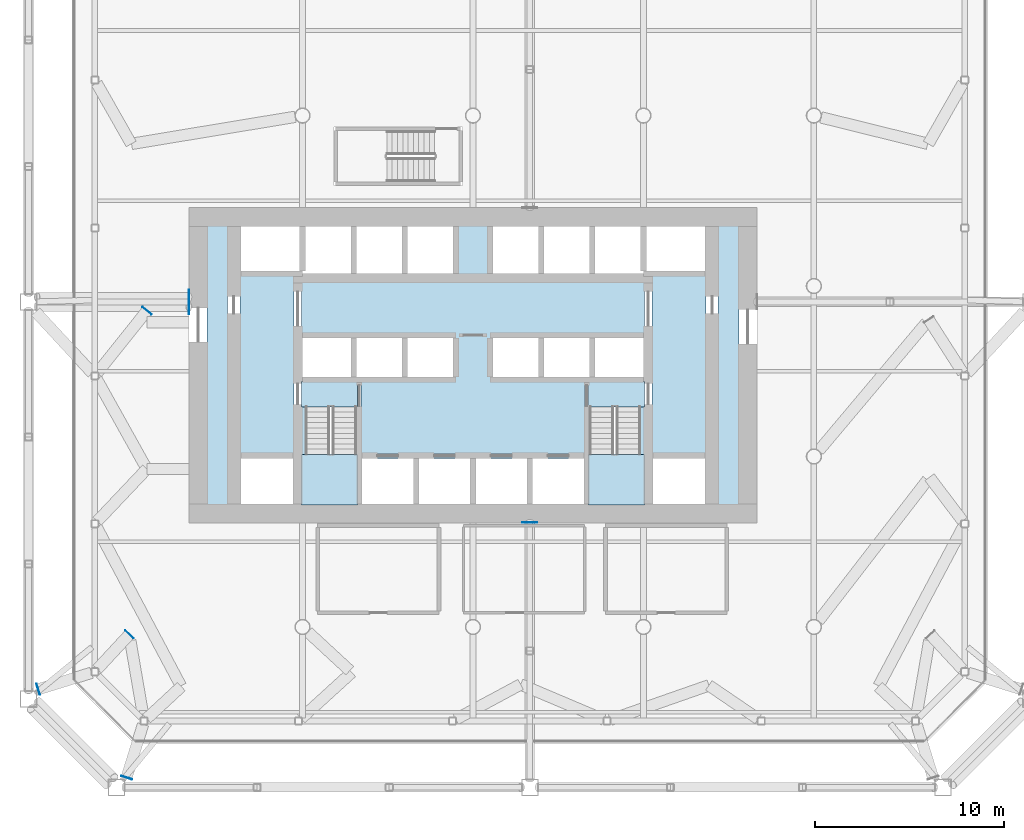
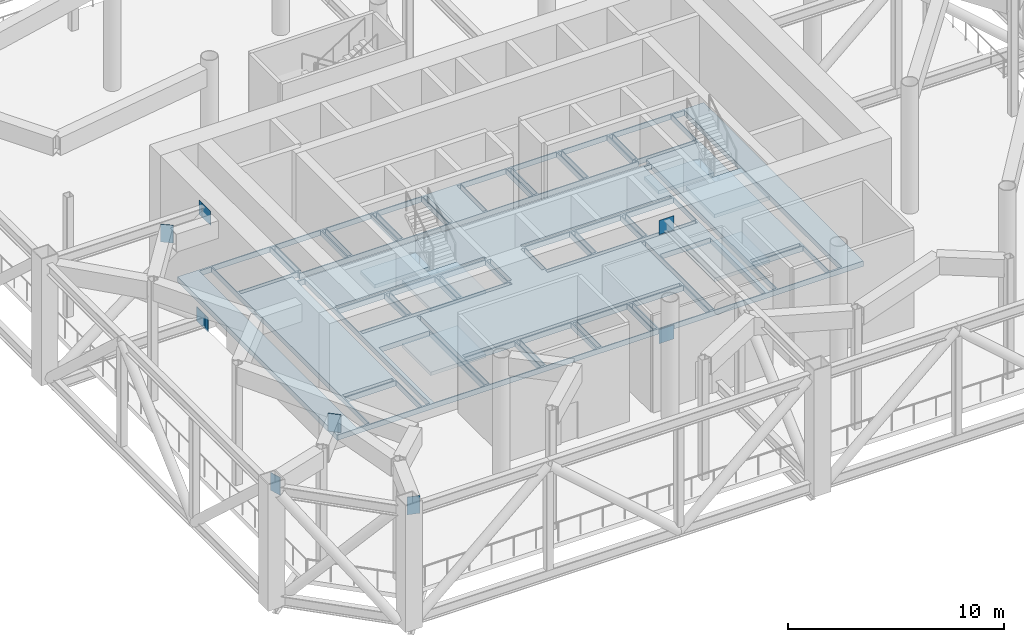
# One storey, part 7 of 20: 10 plates, 7 slabs, 2 elements without a shape of their own.
"""IFC4 building model written with IfcOpenShell, lengths in metres."""

from ifc_helpers import new_model, si_unit, direction, frame, origin, origin_2d, place, context, subcontext, project, spatial, polyline, rectangle, outline, extrude, material, layer, layer_set, material_profile, profile_set, type_object, element, aggregate, save


model = new_model("IFC4")

# Units and contexts
model_context = context("Model", 3, precision=1e-05, world=origin(), true_north=direction((0.0, 1.0)))
body_context = subcontext(model_context, "Body", "Model", "MODEL_VIEW")
ifc_project = project(units=[si_unit("LENGTHUNIT", "METRE"), si_unit("AREAUNIT", "SQUARE_METRE"), si_unit("VOLUMEUNIT", "CUBIC_METRE"), si_unit("PLANEANGLEUNIT", "RADIAN"), si_unit("MASSUNIT", "GRAM", prefix="KILO")], contexts=[model_context])

# Site, building, storey
site_placement = place(None, origin())
site = spatial("IfcSite", under=ifc_project, at=site_placement, CompositionType="ELEMENT")
building_placement = place(site_placement, origin())
building = spatial("IfcBuilding", under=site, at=building_placement, Name="Tskaro Facet Tower", CompositionType="ELEMENT")
storey_placement = place(building_placement, frame((0.0, 0.0, 114.300048828125)))
storey = spatial("IfcBuildingStorey", under=building, at=storey_placement, Name="L27", CompositionType="ELEMENT", Elevation=114.300048828125)

# Plates
ifc_material_1 = material(Name="Steel S355J2", Category="steel")
ifc_material_profile_1 = material_profile(ifc_material_1, rectangle(XDim=0.60009765625, YDim=1.0, at=origin_2d()), Name="PL 600x1000x30 end plate")
ifc_profile_set_1 = profile_set([ifc_material_profile_1], Name="Steel S355J2")
plate_type_1 = type_object("IfcPlateType", Name="PL 600x1000x30 end plate", PredefinedType="SHEET", material=ifc_profile_set_1)
for number, where, z_axis, x_axis, name in (
    (1, (-18.287841796875, -25.941650390625, 6.280029296875), (-0.299195722174, -0.95419176261, 0.0), (0.95419176261, -0.299195722174, 0.0), "End plate CP8-10"),
    (2, (-22.941650390625, -21.287841796875, 6.280029296875), (-0.95419176261, -0.299195722174, 0.0), (0.299195722174, -0.95419176261, 0.0), "End plate CP8-13"),
):
    element("IfcPlate", number, at=place(storey_placement, frame(where, z_axis=z_axis, x_axis=x_axis)), inside=storey, type_object=plate_type_1, Name=name, PredefinedType="SHEET", context=body_context, shape_type="SweptSolid", body=[
        extrude(rectangle(XDim=0.60009765625, YDim=1.0, at=origin_2d()), origin(), (0.0, 0.0, 1.0), 0.0302734375),
    ])
for number, where, z_axis, x_axis, name in (
    (3, (-18.147705078125, -18.402587890625, 6.280029296875), (0.673884243496, 0.738836941664, 0.0), (-0.738836941664, 0.673884243496, 0.0), "End plate CP8-19"),
    (4, (-17.22412109375, -1.31494140625, 6.280029296875), (0.625685494002, 0.780075421094, 0.0), (-0.780075421094, 0.625685494002, 0.0), "End plate CP8-21"),
):
    element("IfcPlate", number, at=place(storey_placement, frame(where, z_axis=z_axis, x_axis=x_axis)), inside=storey, type_object=plate_type_1, Name=name, PredefinedType="SHEET", context=body_context, shape_type="SweptSolid", body=[
        extrude(rectangle(XDim=0.60009765625, YDim=1.0, at=origin_2d()), origin(), (0.0, 0.0, 1.0), 0.030029296875),
    ])
ifc_material_profile_2 = material_profile(ifc_material_1, rectangle(XDim=0.800048828125, YDim=0.800048828125, at=origin_2d()), Name="PL 800x800x30 cast-in plate")
ifc_profile_set_2 = profile_set([ifc_material_profile_2], Name="Steel S355J2")
plate_type_2 = type_object("IfcPlateType", Name="PL 800x800x30 cast-in plate", PredefinedType="SHEET", material=ifc_profile_set_2)
for number, where, z_axis, x_axis, name in (
    (5, (3.0, -12.469970703125, 6.469970703125), (0.0, -1.0, 0.0), (1.0, 0.0, 0.0), "Cast-in plate AP1-05"),
    (6, (3.0, -12.469970703125, 0.31005859375), (0.0, -1.0, 0.0), (1.0, 0.0, 0.0), "Cast-in plate AP1-06"),
    (7, (-14.969970703125, -0.8369140625, 6.469970703125), (-1.0, 0.0, 0.0), (0.0, -1.0, 0.0), "Cast-in plate AP1-11"),
    (8, (-14.969970703125, -0.8369140625, 0.31005859375), (-1.0, 0.0, 0.0), (0.0, -1.0, 0.0), "Cast-in plate AP1-12"),
    (9, (-14.969970703125, -1.091064453125, 6.469970703125), (-1.0, 0.0, 0.0), (0.0, -1.0, 0.0), "Cast-in plate AP1-13"),
    (10, (-14.969970703125, -0.5830078125, 0.31005859375), (-1.0, 0.0, 0.0), (0.0, -1.0, 0.0), "Cast-in plate AP1-14"),
):
    element("IfcPlate", number, at=place(storey_placement, frame(where, z_axis=z_axis, x_axis=x_axis)), inside=storey, type_object=plate_type_2, Name=name, PredefinedType="SHEET", context=body_context, shape_type="SweptSolid", body=[
        extrude(rectangle(XDim=0.800048828125, YDim=0.800048828125, at=origin_2d()), origin(), (0.0, 0.0, 1.0), 0.030029296875),
    ])

# Stair, slabs
ifc_material_2 = material(Name="Concrete C40/50", Category="concrete")
stair_type = type_object("IfcStairType", Name="ST-TWR", PredefinedType="HALF_TURN_STAIR", material=ifc_material_2)
stair_1_placement = place(storey_placement, origin())
stair_1 = element("IfcStair", 11, at=stair_1_placement, inside=storey, type_object=stair_type, Name="L27 Exit stair 1", PredefinedType="HALF_TURN_STAIR")
ifc_layer_1 = layer(ifc_material_2, 0.199951171875, Name="Concrete C40/50")
ifc_layer_set_1 = layer_set([ifc_layer_1], Name="Concrete C40/50")
slab_type_1 = type_object("IfcSlabType", Name="SL-LANDING", PredefinedType="LANDING", material=ifc_layer_set_1)
slab_1_placement = place(storey_placement, frame((0.0, 0.0, 1.599853515625)))
slab_1 = element("IfcSlab", 12, at=slab_1_placement, type_object=slab_type_1, Name="ST-1 landing 1", PredefinedType="LANDING", context=body_context, shape_type="SweptSolid", body=[
    extrude(outline(polyline([(-9.050048828125, -11.550048828125), (-6.10009765625, -11.550048828125), (-6.10009765625, -8.89501953125), (-9.050048828125, -8.89501953125), (-9.050048828125, -11.550048828125)])), origin(), (0.0, 0.0, 1.0), 0.2001953125),
])
slab_2_placement = place(storey_placement, frame((0.0, 0.0, 3.39990234375)))
slab_2 = element("IfcSlab", 13, at=slab_2_placement, type_object=slab_type_1, Name="ST-1 landing 2", PredefinedType="LANDING", context=body_context, shape_type="SweptSolid", body=[
    extrude(outline(polyline([(-9.050048828125, -6.375), (-6.10009765625, -6.375), (-6.10009765625, -5.050048828125), (-9.050048828125, -5.050048828125), (-9.050048828125, -6.375)])), origin(), (0.0, 0.0, 1.0), 0.199951171875),
])
slab_3_placement = place(storey_placement, frame((0.0, 0.0, 5.199951171875)))
slab_3 = element("IfcSlab", 14, at=slab_3_placement, type_object=slab_type_1, Name="ST-1 landing 3", PredefinedType="LANDING", context=body_context, shape_type="SweptSolid", body=[
    extrude(outline(polyline([(-9.050048828125, -11.550048828125), (-6.10009765625, -11.550048828125), (-6.10009765625, -8.89501953125), (-9.050048828125, -8.89501953125), (-9.050048828125, -11.550048828125)])), origin(), (0.0, 0.0, 1.0), 0.199951171875),
])
aggregate(stair_1, [slab_1, slab_2, slab_3])

stair_2_placement = place(storey_placement, origin())
stair_2 = element("IfcStair", 15, at=stair_2_placement, inside=storey, type_object=stair_type, Name="L27 Exit stair 2", PredefinedType="HALF_TURN_STAIR")
slab_4_placement = place(storey_placement, frame((0.0, 0.0, 1.599853515625)))
slab_4 = element("IfcSlab", 16, at=slab_4_placement, type_object=slab_type_1, Name="ST-2 landing 1", PredefinedType="LANDING", context=body_context, shape_type="SweptSolid", body=[
    extrude(outline(polyline([(6.10009765625, -11.550048828125), (9.050048828125, -11.550048828125), (9.050048828125, -8.89501953125), (6.10009765625, -8.89501953125), (6.10009765625, -11.550048828125)])), origin(), (0.0, 0.0, 1.0), 0.2001953125),
])
slab_5_placement = place(storey_placement, frame((0.0, 0.0, 3.39990234375)))
slab_5 = element("IfcSlab", 17, at=slab_5_placement, type_object=slab_type_1, Name="ST-2 landing 2", PredefinedType="LANDING", context=body_context, shape_type="SweptSolid", body=[
    extrude(outline(polyline([(6.10009765625, -6.375), (9.050048828125, -6.375), (9.050048828125, -5.050048828125), (6.10009765625, -5.050048828125), (6.10009765625, -6.375)])), origin(), (0.0, 0.0, 1.0), 0.199951171875),
])
slab_6_placement = place(storey_placement, frame((0.0, 0.0, 5.199951171875)))
slab_6 = element("IfcSlab", 18, at=slab_6_placement, type_object=slab_type_1, Name="ST-2 landing 3", PredefinedType="LANDING", context=body_context, shape_type="SweptSolid", body=[
    extrude(outline(polyline([(6.10009765625, -11.550048828125), (9.050048828125, -11.550048828125), (9.050048828125, -8.89501953125), (6.10009765625, -8.89501953125), (6.10009765625, -11.550048828125)])), origin(), (0.0, 0.0, 1.0), 0.199951171875),
])
aggregate(stair_2, [slab_4, slab_5, slab_6])

# Slab
ifc_material_3 = material(Name="Concrete C60/75", Category="concrete")
ifc_layer_2 = layer(ifc_material_3, 0.300048828125, Name="Concrete C60/75")
ifc_layer_set_2 = layer_set([ifc_layer_2], Name="Concrete C60/75")
slab_type_2 = type_object("IfcSlabType", Name="SLAB-CORE", PredefinedType="FLOOR", material=ifc_layer_set_2)
slab_7_placement = place(storey_placement, frame((0.0, 0.0, -0.300048828125)))
element("IfcSlab", 19, at=slab_7_placement, inside=storey, type_object=slab_type_2, Name="Core floor slab 1", PredefinedType="FLOOR", context=body_context, shape_type="SweptSolid", body=[
    extrude(outline(polyline([(-14.050048828125, 3.199951171875), (14.050048828125, 3.199951171875), (14.050048828125, 3.10009765625), (14.050048828125, -11.449951171875), (14.050048828125, -11.550048828125), (-14.050048828125, -11.550048828125), (-14.050048828125, -11.449951171875), (-14.050048828125, 3.10009765625), (-14.050048828125, 3.199951171875)]), holes=[polyline([(-5.85009765625, -9.10009765625), (-5.85009765625, -11.5), (-3.14990234375, -11.5), (-3.14990234375, -9.10009765625), (-5.85009765625, -9.10009765625)]), polyline([(-9.5, -11.5), (-9.5, -9.10009765625), (-12.25, -9.10009765625), (-12.25, -11.5), (-9.5, -11.5)]), polyline([(-12.199951171875, -8.85009765625), (-12.199951171875, -9.050048828125), (-9.550048828125, -9.050048828125), (-9.550048828125, -8.85009765625), (-12.199951171875, -8.85009765625)]), polyline([(-6.10009765625, -5.14990234375), (-6.10009765625, -11.449951171875), (-5.89990234375, -11.449951171875), (-5.89990234375, -5.14990234375), (-6.10009765625, -5.14990234375)]), polyline([(-9.449951171875, 0.10009765625), (-9.449951171875, -11.449951171875), (-9.050048828125, -11.449951171875), (-9.050048828125, 0.10009765625), (-9.449951171875, 0.10009765625)]), polyline([(-8.949951171875, -4.85009765625), (-8.949951171875, -5.050048828125), (-0.949951171875, -5.050048828125), (-0.949951171875, -4.85009765625), (-8.949951171875, -4.85009765625)]), polyline([(-12.949951171875, 3.10009765625), (-12.949951171875, -11.449951171875), (-12.300048828125, -11.449951171875), (-12.300048828125, 3.10009765625), (-12.949951171875, 3.10009765625)]), polyline([(-6.449951171875, -4.800048828125), (-6.449951171875, -2.75), (-9.0, -2.75), (-9.0, -4.800048828125), (-6.449951171875, -4.800048828125)]), polyline([(-6.39990234375, -2.800048828125), (-6.39990234375, -4.75), (-6.199951171875, -4.75), (-6.199951171875, -2.800048828125), (-6.39990234375, -2.800048828125)]), polyline([(-3.75, -4.800048828125), (-3.75, -2.75), (-6.14990234375, -2.75), (-6.14990234375, -4.800048828125), (-3.75, -4.800048828125)]), polyline([(-8.949951171875, -2.5), (-8.949951171875, -2.699951171875), (-0.949951171875, -2.699951171875), (-0.949951171875, -2.5), (-8.949951171875, -2.5)]), polyline([(9.449951171875, 0.199951171875), (9.449951171875, 0.550048828125), (12.199951171875, 0.550048828125), (12.199951171875, 0.75), (9.050048828125, 0.75), (9.050048828125, 0.60009765625), (-9.050048828125, 0.60009765625), (-9.050048828125, 0.75), (-12.199951171875, 0.75), (-12.199951171875, 0.550048828125), (-9.449951171875, 0.550048828125), (-9.449951171875, 0.199951171875), (9.449951171875, 0.199951171875)]), polyline([(-8.85009765625, 3.14990234375), (-8.85009765625, 0.800048828125), (-9.0, 0.800048828125), (-9.0, 0.64990234375), (-6.449951171875, 0.64990234375), (-6.449951171875, 3.14990234375), (-8.85009765625, 3.14990234375)]), polyline([(-6.14990234375, 0.64990234375), (-3.75, 0.64990234375), (-3.75, 3.14990234375), (-6.14990234375, 3.14990234375), (-6.14990234375, 0.64990234375)]), polyline([(-6.39990234375, 3.10009765625), (-6.39990234375, 0.699951171875), (-6.199951171875, 0.699951171875), (-6.199951171875, 3.10009765625), (-6.39990234375, 3.10009765625)]), polyline([(-9.10009765625, 3.10009765625), (-9.10009765625, 0.85009765625), (-8.89990234375, 0.85009765625), (-8.89990234375, 3.10009765625), (-9.10009765625, 3.10009765625)]), polyline([(-9.14990234375, 0.800048828125), (-9.14990234375, 3.14990234375), (-12.25, 3.14990234375), (-12.25, 0.800048828125), (-9.14990234375, 0.800048828125)]), polyline([(2.89990234375, -9.14990234375), (2.89990234375, -11.449951171875), (3.10009765625, -11.449951171875), (3.10009765625, -9.14990234375), (2.89990234375, -9.14990234375)]), polyline([(-3.10009765625, -9.14990234375), (-3.10009765625, -11.449951171875), (-2.89990234375, -11.449951171875), (-2.89990234375, -9.14990234375), (-3.10009765625, -9.14990234375)]), polyline([(2.85009765625, -9.10009765625), (0.14990234375, -9.10009765625), (0.14990234375, -11.5), (2.85009765625, -11.5), (2.85009765625, -9.10009765625)]), polyline([(-0.14990234375, -9.10009765625), (-2.85009765625, -9.10009765625), (-2.85009765625, -11.5), (-0.14990234375, -11.5), (-0.14990234375, -9.10009765625)]), polyline([(-0.10009765625, -9.14990234375), (-0.10009765625, -11.449951171875), (0.10009765625, -11.449951171875), (0.10009765625, -9.14990234375), (-0.10009765625, -9.14990234375)]), polyline([(-5.800048828125, -8.85009765625), (-5.800048828125, -9.050048828125), (5.800048828125, -9.050048828125), (5.800048828125, -8.85009765625), (-5.800048828125, -8.85009765625)]), polyline([(-1.0, -2.800048828125), (-1.0, -4.75), (-0.800048828125, -4.75), (-0.800048828125, -2.800048828125), (-1.0, -2.800048828125)]), polyline([(-3.699951171875, -2.800048828125), (-3.699951171875, -4.75), (-3.5, -4.75), (-3.5, -2.800048828125), (-3.699951171875, -2.800048828125)]), polyline([(-3.449951171875, -4.800048828125), (-1.050048828125, -4.800048828125), (-1.050048828125, -2.75), (-3.449951171875, -2.75), (-3.449951171875, -4.800048828125)]), polyline([(0.800048828125, -4.75), (1.0, -4.75), (1.0, -2.800048828125), (0.800048828125, -2.800048828125), (0.800048828125, -4.75)]), polyline([(3.449951171875, -2.75), (1.050048828125, -2.75), (1.050048828125, -4.800048828125), (3.449951171875, -4.800048828125), (3.449951171875, -2.75)]), polyline([(-3.449951171875, 0.64990234375), (-1.050048828125, 0.64990234375), (-1.050048828125, 3.14990234375), (-3.449951171875, 3.14990234375), (-3.449951171875, 0.64990234375)]), polyline([(1.050048828125, 0.64990234375), (3.449951171875, 0.64990234375), (3.449951171875, 3.14990234375), (1.050048828125, 3.14990234375), (1.050048828125, 0.64990234375)]), polyline([(-1.0, 3.10009765625), (-1.0, 0.699951171875), (-0.800048828125, 0.699951171875), (-0.800048828125, 3.10009765625), (-1.0, 3.10009765625)]), polyline([(0.800048828125, 3.10009765625), (0.800048828125, 0.699951171875), (1.0, 0.699951171875), (1.0, 3.10009765625), (0.800048828125, 3.10009765625)]), polyline([(-3.699951171875, 3.10009765625), (-3.699951171875, 0.699951171875), (-3.5, 0.699951171875), (-3.5, 3.10009765625), (-3.699951171875, 3.10009765625)]), polyline([(5.85009765625, -9.10009765625), (3.14990234375, -9.10009765625), (3.14990234375, -11.5), (5.85009765625, -11.5), (5.85009765625, -9.10009765625)]), polyline([(12.25, -11.5), (12.25, -9.10009765625), (9.5, -9.10009765625), (9.5, -11.5), (12.25, -11.5)]), polyline([(9.550048828125, -8.85009765625), (9.550048828125, -9.050048828125), (12.199951171875, -9.050048828125), (12.199951171875, -8.85009765625), (9.550048828125, -8.85009765625)]), polyline([(5.89990234375, -5.14990234375), (5.89990234375, -11.449951171875), (6.10009765625, -11.449951171875), (6.10009765625, -5.14990234375), (5.89990234375, -5.14990234375)]), polyline([(9.050048828125, 0.10009765625), (9.050048828125, -11.449951171875), (9.449951171875, -11.449951171875), (9.449951171875, 0.10009765625), (9.050048828125, 0.10009765625)]), polyline([(0.949951171875, -4.85009765625), (0.949951171875, -5.050048828125), (8.949951171875, -5.050048828125), (8.949951171875, -4.85009765625), (0.949951171875, -4.85009765625)]), polyline([(12.300048828125, 3.10009765625), (12.300048828125, -11.449951171875), (12.949951171875, -11.449951171875), (12.949951171875, 3.10009765625), (12.300048828125, 3.10009765625)]), polyline([(3.5, -2.800048828125), (3.5, -4.75), (3.699951171875, -4.75), (3.699951171875, -2.800048828125), (3.5, -2.800048828125)]), polyline([(6.449951171875, -2.75), (6.449951171875, -4.800048828125), (9.0, -4.800048828125), (9.0, -2.75), (6.449951171875, -2.75)]), polyline([(6.199951171875, -2.800048828125), (6.199951171875, -4.75), (6.39990234375, -4.75), (6.39990234375, -2.800048828125), (6.199951171875, -2.800048828125)]), polyline([(3.75, -4.800048828125), (6.14990234375, -4.800048828125), (6.14990234375, -2.75), (3.75, -2.75), (3.75, -4.800048828125)]), polyline([(0.949951171875, -2.5), (0.949951171875, -2.699951171875), (8.949951171875, -2.699951171875), (8.949951171875, -2.5), (0.949951171875, -2.5)]), polyline([(9.0, 0.800048828125), (8.85009765625, 0.800048828125), (8.85009765625, 3.14990234375), (6.449951171875, 3.14990234375), (6.449951171875, 0.64990234375), (9.0, 0.64990234375), (9.0, 0.800048828125)]), polyline([(3.75, 0.64990234375), (6.14990234375, 0.64990234375), (6.14990234375, 3.14990234375), (3.75, 3.14990234375), (3.75, 0.64990234375)]), polyline([(6.199951171875, 3.10009765625), (6.199951171875, 0.699951171875), (6.39990234375, 0.699951171875), (6.39990234375, 3.10009765625), (6.199951171875, 3.10009765625)]), polyline([(3.5, 3.10009765625), (3.5, 0.699951171875), (3.699951171875, 0.699951171875), (3.699951171875, 3.10009765625), (3.5, 3.10009765625)]), polyline([(8.89990234375, 3.10009765625), (8.89990234375, 0.85009765625), (9.10009765625, 0.85009765625), (9.10009765625, 3.10009765625), (8.89990234375, 3.10009765625)]), polyline([(9.14990234375, 0.800048828125), (12.25, 0.800048828125), (12.25, 3.14990234375), (9.14990234375, 3.14990234375), (9.14990234375, 0.800048828125)]), polyline([(-8.85009765625, -11.5), (-6.14990234375, -11.5), (-6.14990234375, -6.39501953125), (-8.85009765625, -6.39501953125), (-8.85009765625, -11.5)]), polyline([(6.14990234375, -6.39501953125), (6.14990234375, -11.5), (8.85009765625, -11.5), (8.85009765625, -6.39501953125), (6.14990234375, -6.39501953125)])]), origin(), (0.0, 0.0, 1.0), 0.300048828125),
])

save(model, "model.ifc")
